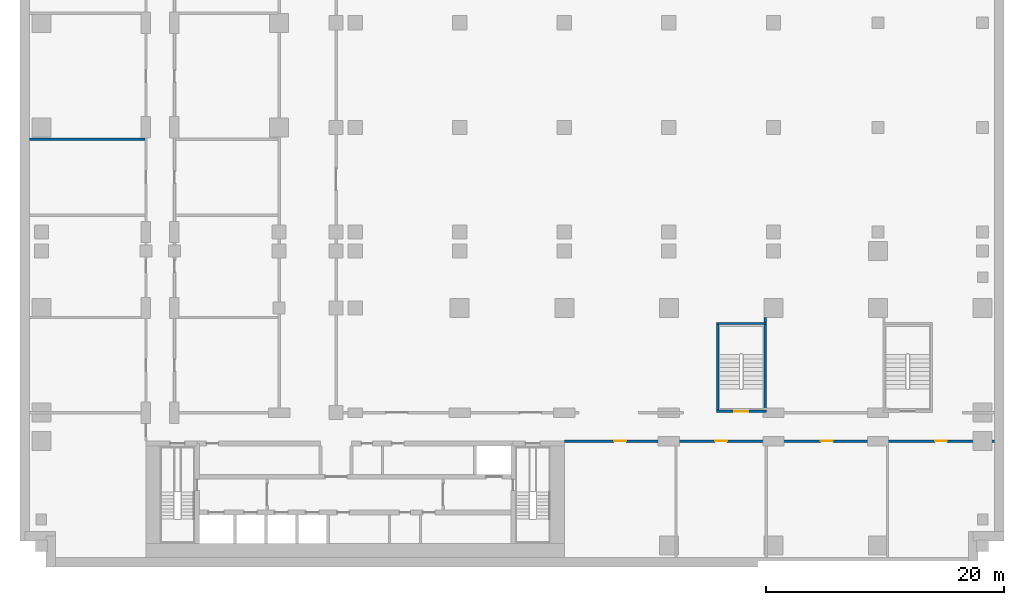
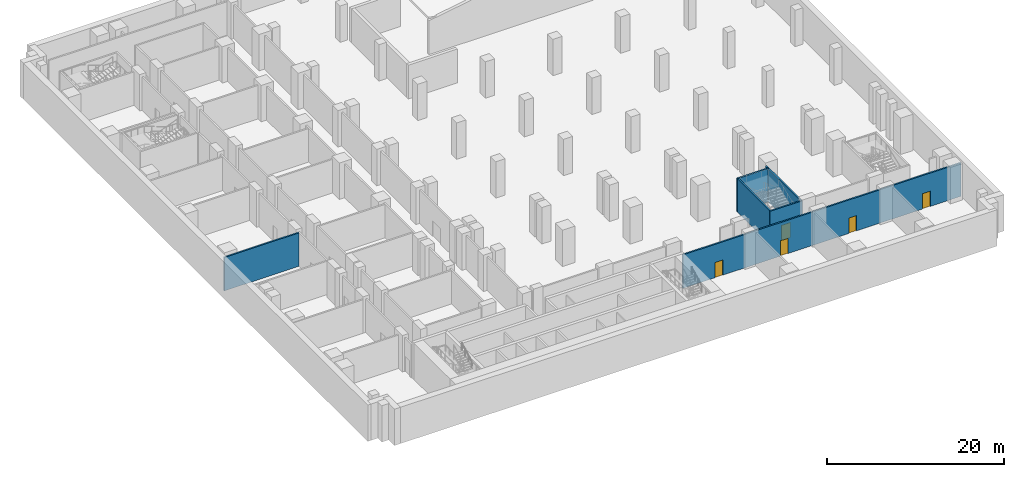
# One storey, part 4 of 12: 6 walls, 5 doors, 5 openings.
"""IFC4 building model written with IfcOpenShell, lengths in metres."""

from ifc_helpers import new_model, si_unit, direction, frame, frame_2d, origin, place, context, subcontext, project, spatial, rectangle, extrude, material, layer, layer_set, type_object, element, fill, save


model = new_model("IFC4")

# Units and contexts
model_context = context("Model", 3, precision=1e-05, world=origin(), true_north=direction((0.0, 1.0)))
body_context = subcontext(model_context, "Body", "Model", "MODEL_VIEW")
ifc_project = project(units=[si_unit("LENGTHUNIT", "METRE"), si_unit("AREAUNIT", "SQUARE_METRE"), si_unit("VOLUMEUNIT", "CUBIC_METRE"), si_unit("PLANEANGLEUNIT", "RADIAN"), si_unit("MASSUNIT", "GRAM", prefix="KILO")], contexts=[model_context])

# Site, building, storey
site_placement = place(None, origin())
site = spatial("IfcSite", under=ifc_project, at=site_placement, CompositionType="ELEMENT")
building_placement = place(site_placement, origin())
building = spatial("IfcBuilding", under=site, at=building_placement, Name="Kemantara Hotel Tower", CompositionType="ELEMENT")
storey_placement = place(building_placement, frame((0.0, 0.0, -12.0)))
storey = spatial("IfcBuildingStorey", under=building, at=storey_placement, Name="B2", CompositionType="ELEMENT", Elevation=-12.0)

# Wall, opening, door
ifc_material_1 = material(Name="Concrete fc 40 MPa", Category="concrete")
ifc_layer_1 = layer(ifc_material_1, 0.199951171875)
ifc_layer_set_1 = layer_set([ifc_layer_1], Name="Concrete fc 40 MPa")
wall_type_1 = type_object("IfcWallType", Name="Concrete stair wall 200 mm", PredefinedType="SHEAR", material=ifc_layer_set_1)
wall_1_placement = place(storey_placement, frame((57.800048828125, 12.300048828125, 0.0), z_axis=(0.0, 0.0, 1.0), x_axis=(1.0, 0.0, 0.0)))
wall_1 = element("IfcWall", 1, at=wall_1_placement, inside=storey, type_object=wall_type_1, Name="Stair ST3 enclosure wall with door", PredefinedType="SHEAR", context=body_context, shape_type="SweptSolid", body=[
    extrude(rectangle(XDim=4.199951171875, YDim=0.199951171875, at=frame_2d((2.10009765625, 0.0))), origin(), (0.0, 0.0, 1.0), 4.597900390625),
])
opening_1_placement = place(wall_1_placement, frame((1.5, 0.0, 0.0)))
opening_1 = element("IfcOpeningElement", 2, at=opening_1_placement, cuts=wall_1, Name="Opening ST3-C", PredefinedType="OPENING", context=body_context, shape_type="SweptSolid", body=[
    extrude(rectangle(XDim=1.199951171875, YDim=2.10009765625, at=frame_2d((0.60009765625, 1.050048828125))), frame((0.0, 0.10986328125, 0.0), z_axis=(0.0, -1.0, 0.0), x_axis=(1.0, 0.0, 0.0)), (0.0, 0.0, 1.0), 0.219970703125),
])
ifc_material_2 = material(Name="Steel fire door", Category="steel")
door_type_1 = type_object("IfcDoorType", Name="Fire door FD90 1200 x 2100", OperationType="NOTDEFINED", PredefinedType="DOOR", material=ifc_material_2)
door_1_placement = place(opening_1_placement, origin())
door_1 = element("IfcDoor", 3, at=door_1_placement, inside=storey, type_object=door_type_1, Name="Stair ST3 door", OperationType="SINGLE_SWING_RIGHT", OverallHeight=2.10009765625, OverallWidth=1.199951171875, PredefinedType="DOOR", context=body_context, shape_type="SweptSolid", body=[
    extrude(rectangle(XDim=1.199951171875, YDim=2.10009765625, at=frame_2d((0.60009765625, 1.050048828125))), frame((0.0, 0.02490234375, 0.0), z_axis=(0.0, -1.0, 0.0), x_axis=(1.0, 0.0, 0.0)), (0.0, 0.0, 1.0), 0.050048828125),
])
fill(opening_1, door_1)

# Walls
wall_2_placement = place(storey_placement, frame((57.800048828125, 19.699951171875, 0.0), z_axis=(0.0, 0.0, 1.0), x_axis=(1.0, 0.0, 0.0)))
element("IfcWall", 4, at=wall_2_placement, inside=storey, type_object=wall_type_1, Name="Stair ST3 enclosure wall N", PredefinedType="SHEAR", context=body_context, shape_type="SweptSolid", body=[
    extrude(rectangle(XDim=4.199951171875, YDim=0.199951171875, at=frame_2d((2.10009765625, 0.0))), origin(), (0.0, 0.0, 1.0), 4.597900390625),
])
wall_3_placement = place(storey_placement, frame((57.89990234375, 12.39990234375, 0.0), z_axis=(0.0, 0.0, 1.0), x_axis=(0.0, 1.0, 0.0)))
element("IfcWall", 5, at=wall_3_placement, inside=storey, type_object=wall_type_1, Name="Stair ST3 enclosure wall W", PredefinedType="SHEAR", context=body_context, shape_type="SweptSolid", body=[
    extrude(rectangle(XDim=7.2001953125, YDim=0.199951171875, at=frame_2d((3.60009765625, 0.0))), origin(), (0.0, 0.0, 1.0), 4.597900390625),
])
wall_4_placement = place(storey_placement, frame((61.89990234375, 12.39990234375, 0.0), z_axis=(0.0, 0.0, 1.0), x_axis=(0.0, 1.0, 0.0)))
element("IfcWall", 6, at=wall_4_placement, inside=storey, type_object=wall_type_1, Name="Stair ST3 enclosure wall E", PredefinedType="SHEAR", context=body_context, shape_type="SweptSolid", body=[
    extrude(rectangle(XDim=7.800048828125, YDim=0.199951171875, at=frame_2d((3.89990234375, 0.0))), origin(), (0.0, 0.0, 1.0), 4.597900390625),
])

# Wall, openings, doors
ifc_material_3 = material(Name="Fire-rated gypsum board partition")
ifc_layer_2 = layer(ifc_material_3, 0.199951171875)
ifc_layer_set_2 = layer_set([ifc_layer_2], Name="Fire-rated gypsum board partition")
wall_type_2 = type_object("IfcWallType", Name="FIRE-RATED GYPSUM PARTITION 200 EI 60", PredefinedType="PARTITIONING", material=ifc_layer_set_2)
wall_5_placement = place(storey_placement, frame((45.0, 9.800048828125, 0.0), z_axis=(0.0, 0.0, 1.0), x_axis=(1.0, 0.0, 0.0)))
wall_5 = element("IfcWall", 7, at=wall_5_placement, inside=storey, type_object=wall_type_2, Name="FIRE-RATED PARTITION", PredefinedType="PARTITIONING", context=body_context, shape_type="SweptSolid", body=[
    extrude(rectangle(XDim=36.199951171875, YDim=0.199951171875, at=frame_2d((18.10009765625, 0.0))), origin(), (0.0, 0.0, 1.0), 4.597900390625),
])
opening_2_placement = place(wall_5_placement, frame((4.199951171875, 0.0, 0.0)))
opening_2 = element("IfcOpeningElement", 8, at=opening_2_placement, cuts=wall_5, Name="Opening B2-B017", PredefinedType="OPENING", context=body_context, shape_type="SweptSolid", body=[
    extrude(rectangle(XDim=1.0, YDim=2.10009765625, at=frame_2d((0.5, 1.050048828125))), frame((0.0, 0.10986328125, 0.0), z_axis=(0.0, -1.0, 0.0), x_axis=(1.0, 0.0, 0.0)), (0.0, 0.0, 1.0), 0.219970703125),
])
opening_3_placement = place(wall_5_placement, frame((12.699951171875, 0.0, 0.0)))
opening_3 = element("IfcOpeningElement", 9, at=opening_3_placement, cuts=wall_5, Name="Opening B2-B018", PredefinedType="OPENING", context=body_context, shape_type="SweptSolid", body=[
    extrude(rectangle(XDim=1.0, YDim=2.10009765625, at=frame_2d((0.5, 1.050048828125))), frame((0.0, 0.10986328125, 0.0), z_axis=(0.0, -1.0, 0.0), x_axis=(1.0, 0.0, 0.0)), (0.0, 0.0, 1.0), 0.219970703125),
])
opening_4_placement = place(wall_5_placement, frame((21.60009765625, 0.0, 0.0)))
opening_4 = element("IfcOpeningElement", 10, at=opening_4_placement, cuts=wall_5, Name="Opening B2-B019", PredefinedType="OPENING", context=body_context, shape_type="SweptSolid", body=[
    extrude(rectangle(XDim=1.0, YDim=2.10009765625, at=frame_2d((0.5, 1.050048828125))), frame((0.0, 0.10986328125, 0.0), z_axis=(0.0, -1.0, 0.0), x_axis=(1.0, 0.0, 0.0)), (0.0, 0.0, 1.0), 0.219970703125),
])
opening_5_placement = place(wall_5_placement, frame((31.199951171875, 0.0, 0.0)))
opening_5 = element("IfcOpeningElement", 11, at=opening_5_placement, cuts=wall_5, Name="Opening B2-B020", PredefinedType="OPENING", context=body_context, shape_type="SweptSolid", body=[
    extrude(rectangle(XDim=1.0, YDim=2.10009765625, at=frame_2d((0.5, 1.050048828125))), frame((0.0, 0.10986328125, 0.0), z_axis=(0.0, -1.0, 0.0), x_axis=(1.0, 0.0, 0.0)), (0.0, 0.0, 1.0), 0.219970703125),
])
ifc_material_4 = material(Name="Timber veneer door leaf", Category="wood")
door_type_2 = type_object("IfcDoorType", Name="SINGLE LEAF TIMBER DOOR 1000 X 2100", OperationType="SINGLE_SWING_LEFT", PredefinedType="DOOR", material=ifc_material_4)
door_2_placement = place(opening_2_placement, origin())
door_2 = element("IfcDoor", 12, at=door_2_placement, inside=storey, type_object=door_type_2, Name="SINGLE LEAF TIMBER DOOR", OperationType="SINGLE_SWING_LEFT", OverallHeight=2.10009765625, OverallWidth=1.0, PredefinedType="DOOR", context=body_context, shape_type="SweptSolid", body=[
    extrude(rectangle(XDim=1.0, YDim=2.10009765625, at=frame_2d((0.5, 1.050048828125))), frame((0.0, 0.02490234375, 0.0), z_axis=(0.0, -1.0, 0.0), x_axis=(1.0, 0.0, 0.0)), (0.0, 0.0, 1.0), 0.050048828125),
])
fill(opening_2, door_2)
door_3_placement = place(opening_3_placement, origin())
door_3 = element("IfcDoor", 13, at=door_3_placement, inside=storey, type_object=door_type_2, Name="SINGLE LEAF TIMBER DOOR", OperationType="SINGLE_SWING_LEFT", OverallHeight=2.10009765625, OverallWidth=1.0, PredefinedType="DOOR", context=body_context, shape_type="SweptSolid", body=[
    extrude(rectangle(XDim=1.0, YDim=2.10009765625, at=frame_2d((0.5, 1.050048828125))), frame((0.0, 0.02490234375, 0.0), z_axis=(0.0, -1.0, 0.0), x_axis=(1.0, 0.0, 0.0)), (0.0, 0.0, 1.0), 0.050048828125),
])
fill(opening_3, door_3)
door_4_placement = place(opening_4_placement, origin())
door_4 = element("IfcDoor", 14, at=door_4_placement, inside=storey, type_object=door_type_2, Name="SINGLE LEAF TIMBER DOOR", OperationType="SINGLE_SWING_RIGHT", OverallHeight=2.10009765625, OverallWidth=1.0, PredefinedType="DOOR", context=body_context, shape_type="SweptSolid", body=[
    extrude(rectangle(XDim=1.0, YDim=2.10009765625, at=frame_2d((0.5, 1.050048828125))), frame((0.0, 0.02490234375, 0.0), z_axis=(0.0, -1.0, 0.0), x_axis=(1.0, 0.0, 0.0)), (0.0, 0.0, 1.0), 0.050048828125),
])
fill(opening_4, door_4)
door_5_placement = place(opening_5_placement, origin())
door_5 = element("IfcDoor", 15, at=door_5_placement, inside=storey, type_object=door_type_2, Name="SINGLE LEAF TIMBER DOOR", OperationType="SINGLE_SWING_RIGHT", OverallHeight=2.10009765625, OverallWidth=1.0, PredefinedType="DOOR", context=body_context, shape_type="SweptSolid", body=[
    extrude(rectangle(XDim=1.0, YDim=2.10009765625, at=frame_2d((0.5, 1.050048828125))), frame((0.0, 0.02490234375, 0.0), z_axis=(0.0, -1.0, 0.0), x_axis=(1.0, 0.0, 0.0)), (0.0, 0.0, 1.0), 0.050048828125),
])
fill(opening_5, door_5)

# Wall
ifc_material_5 = material(Name="Gypsum board partition")
ifc_layer_3 = layer(ifc_material_5, 0.199951171875)
ifc_layer_set_3 = layer_set([ifc_layer_3], Name="Gypsum board partition")
wall_type_3 = type_object("IfcWallType", Name="GYPSUM BOARD PARTITION 200", PredefinedType="PARTITIONING", material=ifc_layer_set_3)
wall_6_placement = place(storey_placement, frame((0.0, 35.199951171875, 0.0), z_axis=(0.0, 0.0, 1.0), x_axis=(1.0, 0.0, 0.0)))
element("IfcWall", 16, at=wall_6_placement, inside=storey, type_object=wall_type_3, Name="PARTITION", PredefinedType="PARTITIONING", context=body_context, shape_type="SweptSolid", body=[
    extrude(rectangle(XDim=9.699951171875, YDim=0.199951171875, at=frame_2d((4.85009765625, 0.0))), origin(), (0.0, 0.0, 1.0), 4.597900390625),
])

save(model, "model.ifc")
